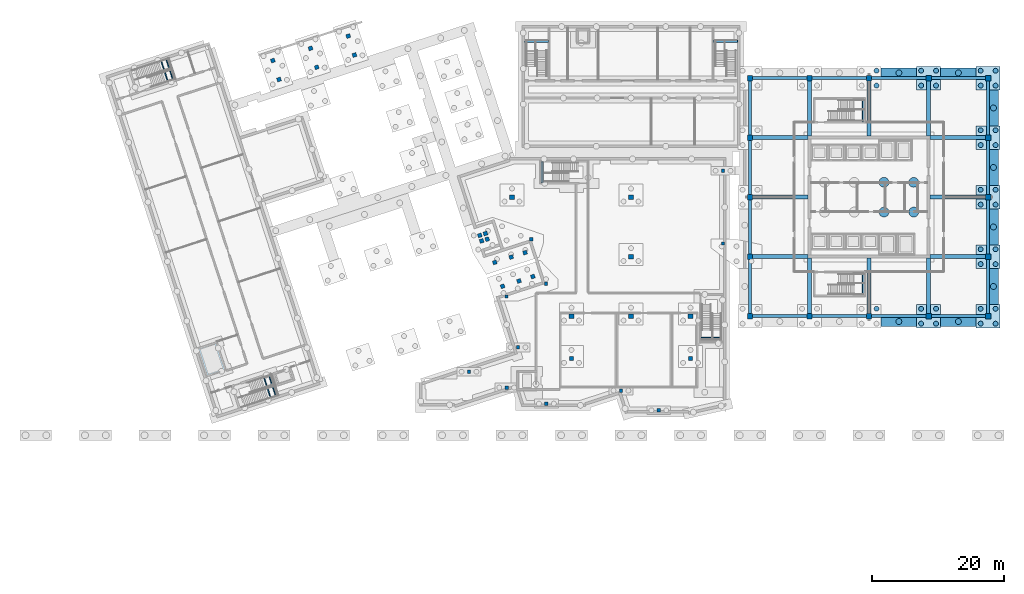
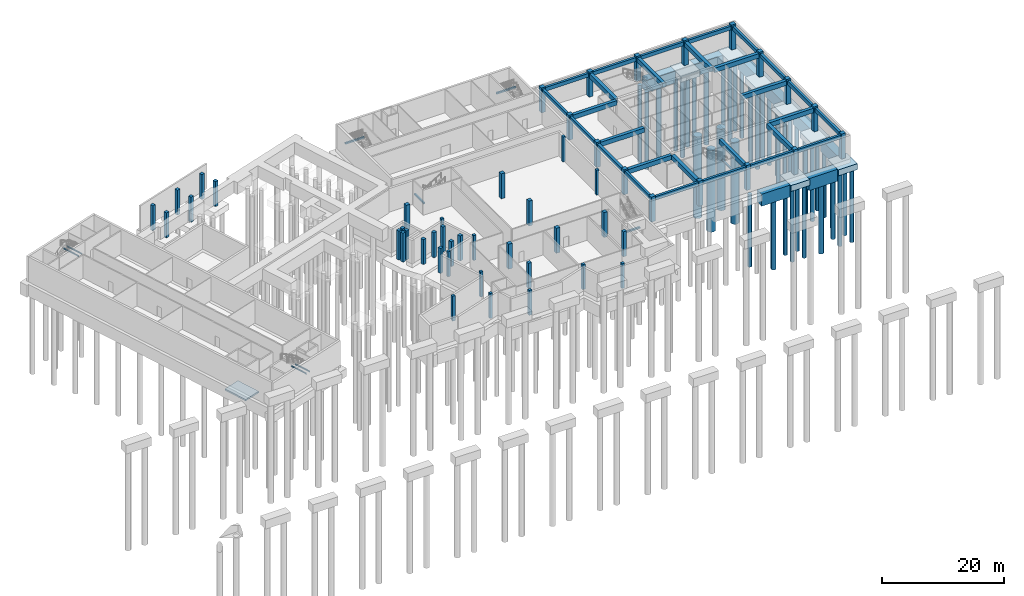
# One storey, part 5 of 17: 51 columns, 43 piles, 38 beams, 15 footings, 1 slab.
"""IFC4 building model written with IfcOpenShell, lengths in metres."""

from ifc_helpers import new_model, si_unit, direction, frame, origin, origin_2d, place, context, subcontext, project, spatial, polyline, rectangle, circle, i_section, outline, extrude, material, layer, layer_set, material_profile, profile_set, type_object, element, save


model = new_model("IFC4")

# Units and contexts
model_context = context("Model", 3, precision=1e-05, world=origin(), true_north=direction((0.0, 1.0)))
body_context = subcontext(model_context, "Body", "Model", "MODEL_VIEW")
ifc_project = project(units=[si_unit("LENGTHUNIT", "METRE"), si_unit("AREAUNIT", "SQUARE_METRE"), si_unit("VOLUMEUNIT", "CUBIC_METRE"), si_unit("PLANEANGLEUNIT", "RADIAN"), si_unit("MASSUNIT", "GRAM", prefix="KILO")], contexts=[model_context])

# Site, building, storey
site_placement = place(None, origin())
site = spatial("IfcSite", under=ifc_project, at=site_placement, CompositionType="ELEMENT")
building_placement = place(site_placement, origin())
building = spatial("IfcBuilding", under=site, at=building_placement, Name="Tuart Plaza Theatre", CompositionType="ELEMENT")
storey_placement = place(building_placement, frame((0.0, 0.0, -10.0)))
storey = spatial("IfcBuildingStorey", under=building, at=storey_placement, Name="B2", CompositionType="ELEMENT", Elevation=-10.0)

# Footings
ifc_material_1 = material(Name="Concrete N40 (40 MPa)", Category="concrete")
footing_type_1 = type_object("IfcFootingType", Name="CAP-1P-D900-5400X1520X2400", PredefinedType="PILE_CAP", material=ifc_material_1)
for number, where, z_axis, x_axis, name in (
    (1, (136.5, 55.199951171875, -3.199951171875), (0.0, 0.0, 1.0), (1.0, 0.0, 0.0), "D-CAP-122"),
    (2, (136.5, 92.800048828125, -3.199951171875), (0.0, 0.0, 1.0), (1.0, 0.0, 0.0), "D-CAP-123"),
    (3, (145.5, 55.199951171875, -3.199951171875), (0.0, 0.0, 1.0), (1.0, 0.0, 0.0), "D-CAP-124"),
    (4, (145.5, 92.800048828125, -3.199951171875), (0.0, 0.0, 1.0), (1.0, 0.0, 0.0), "D-CAP-125"),
    (5, (150.800048828125, 60.5, -3.199951171875), (0.0, 0.0, 1.0), (0.0, 1.0, 0.0), "D-CAP-126"),
    (6, (150.800048828125, 69.5, -3.199951171875), (0.0, 0.0, 1.0), (0.0, 1.0, 0.0), "D-CAP-127"),
    (7, (150.800048828125, 78.5, -3.199951171875), (0.0, 0.0, 1.0), (0.0, 1.0, 0.0), "D-CAP-128"),
    (8, (150.800048828125, 87.5, -3.199951171875), (0.0, 0.0, 1.0), (0.0, 1.0, 0.0), "D-CAP-129"),
):
    element("IfcFooting", number, at=place(storey_placement, frame(where, z_axis=z_axis, x_axis=x_axis)), inside=storey, type_object=footing_type_1, Name=name, PredefinedType="PILE_CAP", context=body_context, shape_type="SweptSolid", body=[
        extrude(rectangle(XDim=5.39990234375, YDim=1.52001953125, at=origin_2d()), origin(), (0.0, 0.0, 1.0), 2.39990234375),
    ])
ifc_material_2 = material(Name="Concrete N40 (40 MPa)", Category="concrete")
footing_type_2 = type_object("IfcFootingType", Name="CAP-4P-D750-3600X3600X1200", PredefinedType="PILE_CAP", material=ifc_material_2)
for number, where, z_axis, x_axis, name in (
    (9, (141.0, 56.0, -2.0), (0.0, 0.0, 1.0), (1.0, 0.0, 0.0), "D-CAP-083"),
    (10, (141.0, 92.0, -2.0), (0.0, 0.0, 1.0), (1.0, 0.0, 0.0), "D-CAP-084"),
    (11, (150.0, 56.0, -2.0), (0.0, 0.0, 1.0), (1.0, 0.0, 0.0), "D-CAP-087"),
    (12, (150.0, 65.0, -2.0), (0.0, 0.0, 1.0), (1.0, 0.0, 0.0), "D-CAP-088"),
    (13, (150.0, 74.0, -2.0), (0.0, 0.0, 1.0), (1.0, 0.0, 0.0), "D-CAP-089"),
    (14, (150.0, 83.0, -2.0), (0.0, 0.0, 1.0), (1.0, 0.0, 0.0), "D-CAP-090"),
    (15, (150.0, 92.0, -2.0), (0.0, 0.0, 1.0), (1.0, 0.0, 0.0), "D-CAP-091"),
):
    element("IfcFooting", number, at=place(storey_placement, frame(where, z_axis=z_axis, x_axis=x_axis)), inside=storey, type_object=footing_type_2, Name=name, PredefinedType="PILE_CAP", context=body_context, shape_type="SweptSolid", body=[
        extrude(rectangle(XDim=3.60009765625, YDim=3.60009765625, at=origin_2d()), origin(), (0.0, 0.0, 1.0), 1.199951171875),
    ])

# Piles
ifc_material_3 = material(Name="Concrete N40 (40 MPa)", Category="concrete")
ifc_material_profile_1 = material_profile(ifc_material_3, circle(Radius=0.75, at=origin_2d()), Name="PILE-BORED-D1500")
ifc_profile_set_1 = profile_set([ifc_material_profile_1], Name="Concrete N40 (40 MPa)")
pile_type_1 = type_object("IfcPileType", Name="PILE-BORED-D1500", PredefinedType="BORED", material=ifc_profile_set_1)
for number, where, z_axis, x_axis, name in (
    (16, (138.75, 71.75, -2.199951171875), (0.0, 0.0, -1.0), (1.0, 0.0, 0.0), "D-PIL-C-raft-01"),
    (17, (134.25, 71.75, -2.199951171875), (0.0, 0.0, -1.0), (1.0, 0.0, 0.0), "D-PIL-C-raft-02"),
    (18, (138.75, 76.25, -2.199951171875), (0.0, 0.0, -1.0), (1.0, 0.0, 0.0), "D-PIL-C-raft-05"),
    (19, (134.25, 76.25, -2.199951171875), (0.0, 0.0, -1.0), (1.0, 0.0, 0.0), "D-PIL-C-raft-06"),
):
    element("IfcPile", number, at=place(storey_placement, frame(where, z_axis=z_axis, x_axis=x_axis)), inside=storey, type_object=pile_type_1, Name=name, PredefinedType="BORED", context=body_context, shape_type="SweptSolid", body=[
        extrude(circle(Radius=0.75, at=origin_2d()), origin(), (0.0, 0.0, 1.0), 16.300048828125),
    ])
ifc_material_4 = material(Name="Concrete N40 (40 MPa)", Category="concrete")
ifc_material_profile_2 = material_profile(ifc_material_4, circle(Radius=0.375, at=origin_2d()), Name="PILE-BORED-D750")
ifc_profile_set_2 = profile_set([ifc_material_profile_2], Name="Concrete N40 (40 MPa)")
pile_type_2 = type_object("IfcPileType", Name="PILE-BORED-D750", PredefinedType="BORED", material=ifc_profile_set_2)
pile_1_placement = place(storey_placement, frame((133.125, 57.125, -2.0), z_axis=(0.0, 0.0, -1.0), x_axis=(1.0, 0.0, 0.0)))
element("IfcPile", 20, at=pile_1_placement, inside=storey, type_object=pile_type_2, Name="D-PIL-078-04", PredefinedType="BORED", context=body_context, shape_type="SweptSolid", body=[
    extrude(circle(Radius=0.375, at=origin_2d()), origin(), (0.0, 0.0, 1.0), 14.5),
])
for number, where, z_axis, x_axis, name in (
    (21, (133.125, 90.875, -2.0), (0.0, 0.0, -1.0), (1.0, 0.0, 0.0), "D-PIL-079-03"),
    (22, (133.125, 93.125, -2.0), (0.0, 0.0, -1.0), (1.0, 0.0, 0.0), "D-PIL-079-04"),
):
    element("IfcPile", number, at=place(storey_placement, frame(where, z_axis=z_axis, x_axis=x_axis)), inside=storey, type_object=pile_type_2, Name=name, PredefinedType="BORED", context=body_context, shape_type="SweptSolid", body=[
        extrude(circle(Radius=0.375, at=origin_2d()), origin(), (0.0, 0.0, 1.0), 15.5),
    ])
for number, where, z_axis, x_axis, name in (
    (23, (139.875, 54.875, -2.0), (0.0, 0.0, -1.0), (1.0, 0.0, 0.0), "D-PIL-083-01"),
    (24, (139.875, 57.125, -2.0), (0.0, 0.0, -1.0), (1.0, 0.0, 0.0), "D-PIL-083-02"),
    (25, (142.125, 54.875, -2.0), (0.0, 0.0, -1.0), (1.0, 0.0, 0.0), "D-PIL-083-03"),
    (26, (142.125, 57.125, -2.0), (0.0, 0.0, -1.0), (1.0, 0.0, 0.0), "D-PIL-083-04"),
):
    element("IfcPile", number, at=place(storey_placement, frame(where, z_axis=z_axis, x_axis=x_axis)), inside=storey, type_object=pile_type_2, Name=name, PredefinedType="BORED", context=body_context, shape_type="SweptSolid", body=[
        extrude(circle(Radius=0.375, at=origin_2d()), origin(), (0.0, 0.0, 1.0), 14.5),
    ])
for number, where, z_axis, x_axis, name in (
    (27, (139.875, 90.875, -2.0), (0.0, 0.0, -1.0), (1.0, 0.0, 0.0), "D-PIL-084-01"),
    (28, (139.875, 93.125, -2.0), (0.0, 0.0, -1.0), (1.0, 0.0, 0.0), "D-PIL-084-02"),
    (29, (142.125, 90.875, -2.0), (0.0, 0.0, -1.0), (1.0, 0.0, 0.0), "D-PIL-084-03"),
    (30, (142.125, 93.125, -2.0), (0.0, 0.0, -1.0), (1.0, 0.0, 0.0), "D-PIL-084-04"),
):
    element("IfcPile", number, at=place(storey_placement, frame(where, z_axis=z_axis, x_axis=x_axis)), inside=storey, type_object=pile_type_2, Name=name, PredefinedType="BORED", context=body_context, shape_type="SweptSolid", body=[
        extrude(circle(Radius=0.375, at=origin_2d()), origin(), (0.0, 0.0, 1.0), 15.5),
    ])
for number, where, z_axis, x_axis, name in (
    (31, (148.875, 54.875, -2.0), (0.0, 0.0, -1.0), (1.0, 0.0, 0.0), "D-PIL-087-01"),
    (32, (148.875, 57.125, -2.0), (0.0, 0.0, -1.0), (1.0, 0.0, 0.0), "D-PIL-087-02"),
    (33, (151.125, 54.875, -2.0), (0.0, 0.0, -1.0), (1.0, 0.0, 0.0), "D-PIL-087-03"),
    (34, (151.125, 57.125, -2.0), (0.0, 0.0, -1.0), (1.0, 0.0, 0.0), "D-PIL-087-04"),
):
    element("IfcPile", number, at=place(storey_placement, frame(where, z_axis=z_axis, x_axis=x_axis)), inside=storey, type_object=pile_type_2, Name=name, PredefinedType="BORED", context=body_context, shape_type="SweptSolid", body=[
        extrude(circle(Radius=0.375, at=origin_2d()), origin(), (0.0, 0.0, 1.0), 14.5),
    ])
for number, where, z_axis, x_axis, name in (
    (35, (148.875, 63.875, -2.0), (0.0, 0.0, -1.0), (1.0, 0.0, 0.0), "D-PIL-088-01"),
    (36, (148.875, 66.125, -2.0), (0.0, 0.0, -1.0), (1.0, 0.0, 0.0), "D-PIL-088-02"),
    (37, (151.125, 63.875, -2.0), (0.0, 0.0, -1.0), (1.0, 0.0, 0.0), "D-PIL-088-03"),
    (38, (151.125, 66.125, -2.0), (0.0, 0.0, -1.0), (1.0, 0.0, 0.0), "D-PIL-088-04"),
    (39, (148.875, 72.875, -2.0), (0.0, 0.0, -1.0), (1.0, 0.0, 0.0), "D-PIL-089-01"),
    (40, (148.875, 75.125, -2.0), (0.0, 0.0, -1.0), (1.0, 0.0, 0.0), "D-PIL-089-02"),
    (41, (151.125, 72.875, -2.0), (0.0, 0.0, -1.0), (1.0, 0.0, 0.0), "D-PIL-089-03"),
    (42, (151.125, 75.125, -2.0), (0.0, 0.0, -1.0), (1.0, 0.0, 0.0), "D-PIL-089-04"),
):
    element("IfcPile", number, at=place(storey_placement, frame(where, z_axis=z_axis, x_axis=x_axis)), inside=storey, type_object=pile_type_2, Name=name, PredefinedType="BORED", context=body_context, shape_type="SweptSolid", body=[
        extrude(circle(Radius=0.375, at=origin_2d()), origin(), (0.0, 0.0, 1.0), 15.0),
    ])
for number, where, z_axis, x_axis, name in (
    (43, (148.875, 81.875, -2.0), (0.0, 0.0, -1.0), (1.0, 0.0, 0.0), "D-PIL-090-01"),
    (44, (148.875, 84.125, -2.0), (0.0, 0.0, -1.0), (1.0, 0.0, 0.0), "D-PIL-090-02"),
    (45, (151.125, 81.875, -2.0), (0.0, 0.0, -1.0), (1.0, 0.0, 0.0), "D-PIL-090-03"),
    (46, (151.125, 84.125, -2.0), (0.0, 0.0, -1.0), (1.0, 0.0, 0.0), "D-PIL-090-04"),
    (47, (148.875, 90.875, -2.0), (0.0, 0.0, -1.0), (1.0, 0.0, 0.0), "D-PIL-091-01"),
    (48, (148.875, 93.125, -2.0), (0.0, 0.0, -1.0), (1.0, 0.0, 0.0), "D-PIL-091-02"),
    (49, (151.125, 90.875, -2.0), (0.0, 0.0, -1.0), (1.0, 0.0, 0.0), "D-PIL-091-03"),
    (50, (151.125, 93.125, -2.0), (0.0, 0.0, -1.0), (1.0, 0.0, 0.0), "D-PIL-091-04"),
):
    element("IfcPile", number, at=place(storey_placement, frame(where, z_axis=z_axis, x_axis=x_axis)), inside=storey, type_object=pile_type_2, Name=name, PredefinedType="BORED", context=body_context, shape_type="SweptSolid", body=[
        extrude(circle(Radius=0.375, at=origin_2d()), origin(), (0.0, 0.0, 1.0), 15.5),
    ])
ifc_material_5 = material(Name="Concrete N40 (40 MPa)", Category="concrete")
ifc_material_profile_3 = material_profile(ifc_material_5, circle(Radius=0.449951171875, at=origin_2d()), Name="PILE-BORED-D900")
ifc_profile_set_3 = profile_set([ifc_material_profile_3], Name="Concrete N40 (40 MPa)")
pile_type_3 = type_object("IfcPileType", Name="PILE-BORED-D900", PredefinedType="BORED", material=ifc_profile_set_3)
pile_2_placement = place(storey_placement, frame((136.5, 55.199951171875, -3.199951171875), z_axis=(0.0, 0.0, -1.0), x_axis=(1.0, 0.0, 0.0)))
element("IfcPile", 51, at=pile_2_placement, inside=storey, type_object=pile_type_3, Name="D-PIL-122-01", PredefinedType="BORED", context=body_context, shape_type="SweptSolid", body=[
    extrude(circle(Radius=0.449951171875, at=origin_2d()), origin(), (0.0, 0.0, 1.0), 13.800048828125),
])
pile_3_placement = place(storey_placement, frame((136.5, 92.800048828125, -3.199951171875), z_axis=(0.0, 0.0, -1.0), x_axis=(1.0, 0.0, 0.0)))
element("IfcPile", 52, at=pile_3_placement, inside=storey, type_object=pile_type_3, Name="D-PIL-123-01", PredefinedType="BORED", context=body_context, shape_type="SweptSolid", body=[
    extrude(circle(Radius=0.449951171875, at=origin_2d()), origin(), (0.0, 0.0, 1.0), 14.800048828125),
])
pile_4_placement = place(storey_placement, frame((145.5, 55.199951171875, -3.199951171875), z_axis=(0.0, 0.0, -1.0), x_axis=(1.0, 0.0, 0.0)))
element("IfcPile", 53, at=pile_4_placement, inside=storey, type_object=pile_type_3, Name="D-PIL-124-01", PredefinedType="BORED", context=body_context, shape_type="SweptSolid", body=[
    extrude(circle(Radius=0.449951171875, at=origin_2d()), origin(), (0.0, 0.0, 1.0), 13.800048828125),
])
pile_5_placement = place(storey_placement, frame((145.5, 92.800048828125, -3.199951171875), z_axis=(0.0, 0.0, -1.0), x_axis=(1.0, 0.0, 0.0)))
element("IfcPile", 54, at=pile_5_placement, inside=storey, type_object=pile_type_3, Name="D-PIL-125-01", PredefinedType="BORED", context=body_context, shape_type="SweptSolid", body=[
    extrude(circle(Radius=0.449951171875, at=origin_2d()), origin(), (0.0, 0.0, 1.0), 14.800048828125),
])
pile_6_placement = place(storey_placement, frame((150.800048828125, 60.5, -3.199951171875), z_axis=(0.0, 0.0, -1.0), x_axis=(1.0, 0.0, 0.0)))
element("IfcPile", 55, at=pile_6_placement, inside=storey, type_object=pile_type_3, Name="D-PIL-126-01", PredefinedType="BORED", context=body_context, shape_type="SweptSolid", body=[
    extrude(circle(Radius=0.449951171875, at=origin_2d()), origin(), (0.0, 0.0, 1.0), 13.800048828125),
])
for number, where, z_axis, x_axis, name in (
    (56, (150.800048828125, 69.5, -3.199951171875), (0.0, 0.0, -1.0), (1.0, 0.0, 0.0), "D-PIL-127-01"),
    (57, (150.800048828125, 78.5, -3.199951171875), (0.0, 0.0, -1.0), (1.0, 0.0, 0.0), "D-PIL-128-01"),
):
    element("IfcPile", number, at=place(storey_placement, frame(where, z_axis=z_axis, x_axis=x_axis)), inside=storey, type_object=pile_type_3, Name=name, PredefinedType="BORED", context=body_context, shape_type="SweptSolid", body=[
        extrude(circle(Radius=0.449951171875, at=origin_2d()), origin(), (0.0, 0.0, 1.0), 14.300048828125),
    ])
pile_7_placement = place(storey_placement, frame((150.800048828125, 87.5, -3.199951171875), z_axis=(0.0, 0.0, -1.0), x_axis=(1.0, 0.0, 0.0)))
element("IfcPile", 58, at=pile_7_placement, inside=storey, type_object=pile_type_3, Name="D-PIL-129-01", PredefinedType="BORED", context=body_context, shape_type="SweptSolid", body=[
    extrude(circle(Radius=0.449951171875, at=origin_2d()), origin(), (0.0, 0.0, 1.0), 14.800048828125),
])

# Columns
ifc_material_6 = material(Name="Concrete N50 (50 MPa)", Category="concrete")
ifc_material_profile_4 = material_profile(ifc_material_6, rectangle(XDim=0.5, YDim=0.5, at=origin_2d()), Name="COLUMN 500x500 Concrete N50 (50 MPa)")
ifc_profile_set_4 = profile_set([ifc_material_profile_4], Name="Concrete N50 (50 MPa)")
column_type_1 = type_object("IfcColumnType", Name="COLUMN 500x500 Concrete N50 (50 MPa)", PredefinedType="COLUMN", material=ifc_profile_set_4)
for number, where, z_axis, x_axis, name in (
    (59, (109.909912109375, 78.0, 0.0), (0.0, 0.0, 1.0), (1.0, 0.0, 0.0), "C37"),
    (60, (109.909912109375, 67.0, 0.0), (0.0, 0.0, 1.0), (1.0, 0.0, 0.0), "C38"),
    (61, (100.199951171875, 41.780029296875, 0.0), (0.0, 0.0, 1.0), (1.0, 0.0, 0.0), "C39"),
    (62, (94.47998046875, 44.75, 0.0), (0.0, 0.0, 1.0), (1.0, 0.0, 0.0), "C40"),
    (63, (83.199951171875, 42.780029296875, 0.0), (0.0, 0.0, 1.0), (1.0, 0.0, 0.0), "C41"),
    (64, (77.199951171875, 45.199951171875, 0.0), (0.0, 0.0, 1.0), (1.0, 0.0, 0.0), "C42"),
    (65, (71.5, 47.60009765625, 0.0), (0.0, 0.0, 1.0), (1.0, 0.0, 0.0), "C43"),
    (66, (78.89990234375, 51.300048828125, 0.0), (0.0, 0.0, 1.0), (1.0, 0.0, 0.0), "C44"),
    (67, (77.181640625, 58.9853515625, 0.0), (0.0, 0.0, 1.0), (1.0, 0.0, 0.0), "C45"),
    (68, (83.1298828125, 60.909912109375, 0.0), (0.0, 0.0, 1.0), (1.0, 0.0, 0.0), "C46"),
    (69, (80.929931640625, 67.659912109375, 0.0), (0.0, 0.0, 1.0), (1.0, 0.0, 0.0), "C47"),
):
    element("IfcColumn", number, at=place(storey_placement, frame(where, z_axis=z_axis, x_axis=x_axis)), inside=storey, type_object=column_type_1, Name=name, PredefinedType="COLUMN", context=body_context, shape_type="SweptSolid", body=[
        extrude(rectangle(XDim=0.5, YDim=0.5, at=origin_2d()), origin(), (0.0, 0.0, 1.0), 5.0),
    ])
ifc_material_7 = material(Name="Concrete N50 (50 MPa)", Category="concrete")
ifc_material_profile_5 = material_profile(ifc_material_7, rectangle(XDim=0.60009765625, YDim=0.60009765625, at=origin_2d()), Name="COLUMN 600x600 Concrete N50 (50 MPa)")
ifc_profile_set_5 = profile_set([ifc_material_profile_5], Name="Concrete N50 (50 MPa)")
column_type_2 = type_object("IfcColumnType", Name="COLUMN 600x600 Concrete N50 (50 MPa)", PredefinedType="COLUMN", material=ifc_profile_set_5)
for number, where, z_axis, x_axis, name in (
    (70, (42.7568359375, 91.799072265625, 0.0), (0.0, 0.0, 1.0), (0.951056516295, 0.309016994375, 0.0), "C9"),
    (71, (48.463134765625, 93.653076171875, 0.0), (0.0, 0.0, 1.0), (0.951056516295, 0.309016994375, 0.0), "C10"),
    (72, (54.16943359375, 95.50732421875, 0.0), (0.0, 0.0, 1.0), (0.951056516295, 0.309016994375, 0.0), "C11"),
    (73, (41.82958984375, 94.652099609375, 0.0), (0.0, 0.0, 1.0), (0.951056516295, 0.309016994375, 0.0), "C12"),
    (74, (47.5361328125, 96.50634765625, 0.0), (0.0, 0.0, 1.0), (0.951056516295, 0.309016994375, 0.0), "C13"),
    (75, (53.242431640625, 98.3603515625, 0.0), (0.0, 0.0, 1.0), (0.951056516295, 0.309016994375, 0.0), "C14"),
    (76, (76.577880859375, 60.51953125, 0.0), (0.0, 0.0, 1.0), (0.951056516295, 0.309016994375, 0.0), "C15"),
    (77, (79.05078125, 61.322998046875, 0.0), (0.0, 0.0, 1.0), (0.951056516295, 0.309016994375, 0.0), "C16"),
    (78, (81.14306640625, 62.002685546875, 0.0), (0.0, 0.0, 1.0), (0.951056516295, 0.309016994375, 0.0), "C17"),
    (79, (75.40380859375, 64.133544921875, 0.0), (0.0, 0.0, 1.0), (0.951056516295, 0.309016994375, 0.0), "C18"),
    (80, (77.87646484375, 64.93701171875, 0.0), (0.0, 0.0, 1.0), (0.951056516295, 0.309016994375, 0.0), "C19"),
    (81, (79.96875, 65.61669921875, 0.0), (0.0, 0.0, 1.0), (0.951056516295, 0.309016994375, 0.0), "C20"),
):
    element("IfcColumn", number, at=place(storey_placement, frame(where, z_axis=z_axis, x_axis=x_axis)), inside=storey, type_object=column_type_2, Name=name, PredefinedType="COLUMN", context=body_context, shape_type="SweptSolid", body=[
        extrude(rectangle(XDim=0.60009765625, YDim=0.60009765625, at=origin_2d()), origin(), (0.0, 0.0, 1.0), 5.0),
    ])
for number, where, z_axis, x_axis, name in (
    (82, (73.404296875, 67.374267578125, -0.800048828125), (0.0, 0.0, 1.0), (0.951056516295, 0.309016994375, 0.0), "C21"),
    (83, (74.26025390625, 67.65234375, -0.800048828125), (0.0, 0.0, 1.0), (0.951056516295, 0.309016994375, 0.0), "C22"),
    (84, (73.126220703125, 68.230224609375, -0.800048828125), (0.0, 0.0, 1.0), (0.951056516295, 0.309016994375, 0.0), "C23"),
    (85, (73.982177734375, 68.50830078125, -0.800048828125), (0.0, 0.0, 1.0), (0.951056516295, 0.309016994375, 0.0), "C24"),
):
    element("IfcColumn", number, at=place(storey_placement, frame(where, z_axis=z_axis, x_axis=x_axis)), inside=storey, type_object=column_type_2, Name=name, PredefinedType="COLUMN", context=body_context, shape_type="SweptSolid", body=[
        extrude(rectangle(XDim=0.60009765625, YDim=0.60009765625, at=origin_2d()), origin(), (0.0, 0.0, 1.0), 5.800048828125),
    ])
for number, where, z_axis, x_axis, name in (
    (86, (87.0, 49.60009765625, 0.0), (0.0, 0.0, 1.0), (1.0, 0.0, 0.0), "C48"),
    (87, (105.0, 49.60009765625, 0.0), (0.0, 0.0, 1.0), (1.0, 0.0, 0.0), "C49"),
):
    element("IfcColumn", number, at=place(storey_placement, frame(where, z_axis=z_axis, x_axis=x_axis)), inside=storey, type_object=column_type_2, Name=name, PredefinedType="COLUMN", context=body_context, shape_type="SweptSolid", body=[
        extrude(rectangle(XDim=0.60009765625, YDim=0.60009765625, at=origin_2d()), origin(), (0.0, 0.0, 1.0), 5.0),
    ])
ifc_material_8 = material(Name="Concrete N50 (50 MPa)", Category="concrete")
ifc_material_profile_6 = material_profile(ifc_material_8, rectangle(XDim=0.699951171875, YDim=0.699951171875, at=origin_2d()), Name="COLUMN 700x700 Concrete N50 (50 MPa)")
ifc_profile_set_6 = profile_set([ifc_material_profile_6], Name="Concrete N50 (50 MPa)")
column_type_3 = type_object("IfcColumnType", Name="COLUMN 700x700 Concrete N50 (50 MPa)", PredefinedType="COLUMN", material=ifc_profile_set_6)
for number, where, z_axis, x_axis, name in (
    (88, (78.0, 74.0, 0.0), (0.0, 0.0, 1.0), (1.0, 0.0, 0.0), "C31"),
    (89, (87.0, 56.0, 0.0), (0.0, 0.0, 1.0), (1.0, 0.0, 0.0), "C32"),
    (90, (96.0, 56.0, 0.0), (0.0, 0.0, 1.0), (1.0, 0.0, 0.0), "C33"),
    (91, (96.0, 65.0, 0.0), (0.0, 0.0, 1.0), (1.0, 0.0, 0.0), "C34"),
    (92, (96.0, 74.0, 0.0), (0.0, 0.0, 1.0), (1.0, 0.0, 0.0), "C35"),
    (93, (105.0, 56.0, 0.0), (0.0, 0.0, 1.0), (1.0, 0.0, 0.0), "C36"),
):
    element("IfcColumn", number, at=place(storey_placement, frame(where, z_axis=z_axis, x_axis=x_axis)), inside=storey, type_object=column_type_3, Name=name, PredefinedType="COLUMN", context=body_context, shape_type="SweptSolid", body=[
        extrude(rectangle(XDim=0.699951171875, YDim=0.699951171875, at=origin_2d()), origin(), (0.0, 0.0, 1.0), 5.0),
    ])
ifc_material_9 = material(Name="Concrete N50 (50 MPa)", Category="concrete")
ifc_material_profile_7 = material_profile(ifc_material_9, rectangle(XDim=0.800048828125, YDim=0.800048828125, at=origin_2d()), Name="COLUMN 800x800 Concrete N50 (50 MPa)")
ifc_profile_set_7 = profile_set([ifc_material_profile_7], Name="Concrete N50 (50 MPa)")
column_type_4 = type_object("IfcColumnType", Name="COLUMN 800x800 Concrete N50 (50 MPa)", PredefinedType="COLUMN", material=ifc_profile_set_7)
for number, where, z_axis, x_axis, name in (
    (94, (114.0, 56.0, 0.0), (0.0, 0.0, 1.0), (1.0, 0.0, 0.0), "C50"),
    (95, (114.0, 65.0, 0.0), (0.0, 0.0, 1.0), (1.0, 0.0, 0.0), "C51"),
    (96, (114.0, 74.0, 0.0), (0.0, 0.0, 1.0), (1.0, 0.0, 0.0), "C52"),
    (97, (114.0, 83.0, 0.0), (0.0, 0.0, 1.0), (1.0, 0.0, 0.0), "C53"),
    (98, (114.0, 92.0, 0.0), (0.0, 0.0, 1.0), (1.0, 0.0, 0.0), "C54"),
    (99, (123.0, 56.0, 0.0), (0.0, 0.0, 1.0), (1.0, 0.0, 0.0), "C55"),
    (100, (123.0, 92.0, 0.0), (0.0, 0.0, 1.0), (1.0, 0.0, 0.0), "C56"),
    (101, (132.0, 56.0, 0.0), (0.0, 0.0, 1.0), (1.0, 0.0, 0.0), "C57"),
    (102, (132.0, 92.0, 0.0), (0.0, 0.0, 1.0), (1.0, 0.0, 0.0), "C58"),
    (103, (141.0, 56.0, 0.0), (0.0, 0.0, 1.0), (1.0, 0.0, 0.0), "C59"),
    (104, (141.0, 92.0, 0.0), (0.0, 0.0, 1.0), (1.0, 0.0, 0.0), "C60"),
    (105, (150.0, 56.0, 0.0), (0.0, 0.0, 1.0), (1.0, 0.0, 0.0), "C61"),
    (106, (150.0, 65.0, 0.0), (0.0, 0.0, 1.0), (1.0, 0.0, 0.0), "C62"),
    (107, (150.0, 74.0, 0.0), (0.0, 0.0, 1.0), (1.0, 0.0, 0.0), "C63"),
    (108, (150.0, 83.0, 0.0), (0.0, 0.0, 1.0), (1.0, 0.0, 0.0), "C64"),
    (109, (150.0, 92.0, 0.0), (0.0, 0.0, 1.0), (1.0, 0.0, 0.0), "C65"),
):
    element("IfcColumn", number, at=place(storey_placement, frame(where, z_axis=z_axis, x_axis=x_axis)), inside=storey, type_object=column_type_4, Name=name, PredefinedType="COLUMN", context=body_context, shape_type="SweptSolid", body=[
        extrude(rectangle(XDim=0.800048828125, YDim=0.800048828125, at=origin_2d()), origin(), (0.0, 0.0, 1.0), 5.0),
    ])

# Beams
ifc_material_10 = material(Name="Steel Grade 300", Category="steel")
ifc_material_profile_8 = material_profile(ifc_material_10, i_section(OverallWidth=0.14599609375, OverallDepth=0.256103515625, WebThickness=0.00634765625, FlangeThickness=0.010986328125, FilletRadius=0.0087890625, at=origin_2d()), Name="250UB37.3")
ifc_profile_set_8 = profile_set([ifc_material_profile_8], Name="Steel Grade 300")
beam_type_1 = type_object("IfcBeamType", Name="BEAM 250UB37.3", PredefinedType="BEAM", material=ifc_profile_set_8)
for number, where, z_axis, x_axis, name in (
    (110, (41.240234375, 47.09228515625, 2.172119140625), (0.309003676349, -0.951060843481, 0.0), (0.951060843481, 0.309003676349, 0.0), "SB1"),
    (111, (40.465087890625, 46.84033203125, 2.172119140625), (0.309003676349, -0.951060843481, 0.0), (0.951060843481, 0.309003676349, 0.0), "SB2"),
    (112, (25.712158203125, 94.8828125, 2.172119140625), (0.309003676349, -0.951060843481, 0.0), (0.951060843481, 0.309003676349, 0.0), "SB13"),
    (113, (24.93701171875, 94.631103515625, 2.172119140625), (0.309003676349, -0.951060843481, 0.0), (0.951060843481, 0.309003676349, 0.0), "SB14"),
):
    element("IfcBeam", number, at=place(storey_placement, frame(where, z_axis=z_axis, x_axis=x_axis)), inside=storey, type_object=beam_type_1, Name=name, PredefinedType="BEAM", context=body_context, shape_type="SweptSolid", body=[
        extrude(i_section(OverallWidth=0.14599609375, OverallDepth=0.256103515625, WebThickness=0.00634765625, FlangeThickness=0.010986328125, FilletRadius=0.0087890625, at=origin_2d()), origin(), (0.0, 0.0, 1.0), 3.35009765625),
    ])
ifc_material_11 = material(Name="Concrete N40 (40 MPa)", Category="concrete")
ifc_material_profile_9 = material_profile(ifc_material_11, rectangle(XDim=0.300048828125, YDim=0.300048828125, at=origin_2d()), Name="BEAM 300x300 Concrete N40 (40 MPa)")
ifc_profile_set_9 = profile_set([ifc_material_profile_9], Name="Concrete N40 (40 MPa)")
beam_type_2 = type_object("IfcBeamType", Name="BEAM 300x300 Concrete N40 (40 MPa)", PredefinedType="BEAM", material=ifc_profile_set_9)
beam_1_placement = place(storey_placement, frame((106.60009765625, 52.652099609375, 2.14990234375), z_axis=(1.0, 0.0, 0.0), x_axis=(0.0, 1.0, 0.0)))
element("IfcBeam", 114, at=beam_1_placement, inside=storey, type_object=beam_type_2, Name="RB62", PredefinedType="BEAM", context=body_context, shape_type="SweptSolid", body=[
    extrude(rectangle(XDim=0.300048828125, YDim=0.300048828125, at=origin_2d()), origin(), (0.0, 0.0, 1.0), 3.14990234375),
])
beam_2_placement = place(storey_placement, frame((82.552001953125, 79.35009765625, 2.14990234375), z_axis=(0.0, -1.0, 0.0), x_axis=(1.0, 0.0, 0.0)))
element("IfcBeam", 115, at=beam_2_placement, inside=storey, type_object=beam_type_2, Name="RB64", PredefinedType="BEAM", context=body_context, shape_type="SweptSolid", body=[
    extrude(rectangle(XDim=0.300048828125, YDim=0.300048828125, at=origin_2d()), origin(), (0.0, 0.0, 1.0), 3.150146484375),
])
for number, where, z_axis, x_axis, name in (
    (116, (131.080078125, 59.175048828125, 2.14990234375), (0.0, 1.0, 0.0), (-1.0, 0.0, 0.0), "RB544"),
    (117, (131.080078125, 85.425048828125, 2.14990234375), (0.0, 1.0, 0.0), (-1.0, 0.0, 0.0), "RB546"),
):
    element("IfcBeam", number, at=place(storey_placement, frame(where, z_axis=z_axis, x_axis=x_axis)), inside=storey, type_object=beam_type_2, Name=name, PredefinedType="BEAM", context=body_context, shape_type="SweptSolid", body=[
        extrude(rectangle(XDim=0.300048828125, YDim=0.300048828125, at=origin_2d()), origin(), (0.0, 0.0, 1.0), 3.39990234375),
    ])
for number, where, z_axis, x_axis, name in (
    (118, (79.89990234375, 97.570068359375, 2.14990234375), (1.0, 0.0, 0.0), (0.0, 1.0, 0.0), "RB550"),
    (119, (108.5, 97.570068359375, 2.14990234375), (1.0, 0.0, 0.0), (0.0, 1.0, 0.0), "RB552"),
):
    element("IfcBeam", number, at=place(storey_placement, frame(where, z_axis=z_axis, x_axis=x_axis)), inside=storey, type_object=beam_type_2, Name=name, PredefinedType="BEAM", context=body_context, shape_type="SweptSolid", body=[
        extrude(rectangle(XDim=0.300048828125, YDim=0.300048828125, at=origin_2d()), origin(), (0.0, 0.0, 1.0), 3.60009765625),
    ])
ifc_material_12 = material(Name="Concrete N40 (40 MPa)", Category="concrete")
ifc_material_profile_10 = material_profile(ifc_material_12, rectangle(XDim=0.449951171875, YDim=0.75, at=origin_2d()), Name="BEAM 450x750 Concrete N40 (40 MPa)")
ifc_profile_set_10 = profile_set([ifc_material_profile_10], Name="Concrete N40 (40 MPa)")
beam_type_3 = type_object("IfcBeamType", Name="BEAM 450x750 Concrete N40 (40 MPa)", PredefinedType="BEAM", material=ifc_profile_set_10)
for number, where, z_axis, x_axis, name in (
    (120, (114.0, 56.39990234375, 4.324951171875), (0.0, 1.0, 0.0), (-1.0, 0.0, 0.0), "RB66"),
    (121, (114.39990234375, 56.0, 4.324951171875), (1.0, 0.0, 0.0), (0.0, 1.0, 0.0), "RB67"),
    (122, (114.0, 65.39990234375, 4.324951171875), (0.0, 1.0, 0.0), (-1.0, 0.0, 0.0), "RB68"),
    (123, (114.0, 74.39990234375, 4.324951171875), (0.0, 1.0, 0.0), (-1.0, 0.0, 0.0), "RB70"),
    (124, (114.0, 83.39990234375, 4.324951171875), (0.0, 1.0, 0.0), (-1.0, 0.0, 0.0), "RB72"),
    (125, (114.39990234375, 92.0, 4.324951171875), (1.0, 0.0, 0.0), (0.0, 1.0, 0.0), "RB74"),
    (126, (123.39990234375, 56.0, 4.324951171875), (1.0, 0.0, 0.0), (0.0, 1.0, 0.0), "RB76"),
    (127, (123.39990234375, 92.0, 4.324951171875), (1.0, 0.0, 0.0), (0.0, 1.0, 0.0), "RB78"),
    (128, (132.39990234375, 56.0, 4.324951171875), (1.0, 0.0, 0.0), (0.0, 1.0, 0.0), "RB80"),
    (129, (132.39990234375, 92.0, 4.324951171875), (1.0, 0.0, 0.0), (0.0, 1.0, 0.0), "RB82"),
    (130, (141.39990234375, 56.0, 4.324951171875), (1.0, 0.0, 0.0), (0.0, 1.0, 0.0), "RB84"),
    (131, (141.39990234375, 92.0, 4.324951171875), (1.0, 0.0, 0.0), (0.0, 1.0, 0.0), "RB86"),
    (132, (150.0, 56.39990234375, 4.324951171875), (0.0, 1.0, 0.0), (-1.0, 0.0, 0.0), "RB90"),
    (133, (150.0, 65.39990234375, 4.324951171875), (0.0, 1.0, 0.0), (-1.0, 0.0, 0.0), "RB91"),
    (134, (150.0, 74.39990234375, 4.324951171875), (0.0, 1.0, 0.0), (-1.0, 0.0, 0.0), "RB92"),
    (135, (150.0, 83.39990234375, 4.324951171875), (0.0, 1.0, 0.0), (-1.0, 0.0, 0.0), "RB93"),
):
    element("IfcBeam", number, at=place(storey_placement, frame(where, z_axis=z_axis, x_axis=x_axis)), inside=storey, type_object=beam_type_3, Name=name, PredefinedType="BEAM", context=body_context, shape_type="SweptSolid", body=[
        extrude(rectangle(XDim=0.449951171875, YDim=0.75, at=origin_2d()), origin(), (0.0, 0.0, 1.0), 8.2001953125),
    ])
ifc_material_13 = material(Name="Concrete N40 (40 MPa)", Category="concrete")
ifc_material_profile_11 = material_profile(ifc_material_13, rectangle(XDim=0.60009765625, YDim=0.89990234375, at=origin_2d()), Name="BEAM 600x900 Concrete N40 (40 MPa)")
ifc_profile_set_11 = profile_set([ifc_material_profile_11], Name="Concrete N40 (40 MPa)")
beam_type_4 = type_object("IfcBeamType", Name="BEAM 600x900 Concrete N40 (40 MPa)", PredefinedType="BEAM", material=ifc_profile_set_11)
for number, where, z_axis, x_axis, name in (
    (136, (114.39990234375, 65.0, 4.25), (1.0, 0.0, 0.0), (0.0, 1.0, 0.0), "RB69"),
    (137, (114.39990234375, 74.0, 4.25), (1.0, 0.0, 0.0), (0.0, 1.0, 0.0), "RB71"),
    (138, (114.39990234375, 83.0, 4.25), (1.0, 0.0, 0.0), (0.0, 1.0, 0.0), "RB73"),
    (139, (123.0, 56.39990234375, 4.25), (0.0, 1.0, 0.0), (-1.0, 0.0, 0.0), "RB75"),
    (140, (123.0, 83.22509765625, 4.25), (0.0, 1.0, 0.0), (-1.0, 0.0, 0.0), "RB77"),
    (141, (132.0, 56.39990234375, 4.25), (0.0, 1.0, 0.0), (-1.0, 0.0, 0.0), "RB79"),
    (142, (132.0, 83.22509765625, 4.25), (0.0, 1.0, 0.0), (-1.0, 0.0, 0.0), "RB81"),
    (143, (141.0, 56.39990234375, 4.25), (0.0, 1.0, 0.0), (-1.0, 0.0, 0.0), "RB83"),
    (144, (141.0, 83.22509765625, 4.25), (0.0, 1.0, 0.0), (-1.0, 0.0, 0.0), "RB85"),
    (145, (141.22509765625, 65.0, 4.25), (1.0, 0.0, 0.0), (0.0, 1.0, 0.0), "RB87"),
    (146, (141.22509765625, 74.0, 4.25), (1.0, 0.0, 0.0), (0.0, 1.0, 0.0), "RB88"),
    (147, (141.22509765625, 83.0, 4.25), (1.0, 0.0, 0.0), (0.0, 1.0, 0.0), "RB89"),
):
    element("IfcBeam", number, at=place(storey_placement, frame(where, z_axis=z_axis, x_axis=x_axis)), inside=storey, type_object=beam_type_4, Name=name, PredefinedType="BEAM", context=body_context, shape_type="SweptSolid", body=[
        extrude(rectangle(XDim=0.60009765625, YDim=0.89990234375, at=origin_2d()), origin(), (0.0, 0.0, 1.0), 8.375),
    ])

# Slab
ifc_material_14 = material(Name="Concrete N40 (40 MPa)", Category="concrete")
ifc_layer = layer(ifc_material_14, 0.300048828125)
ifc_layer_set = layer_set([ifc_layer], Name="SLAB Base 300 Concrete N40 (40 MPa)")
slab_type = type_object("IfcSlabType", Name="SLAB Base 300 Concrete N40 (40 MPa)", PredefinedType="BASESLAB", material=ifc_layer_set)
slab_placement = place(storey_placement, frame((0.0, 0.0, -1.800048828125)))
element("IfcSlab", 148, at=slab_placement, inside=storey, type_object=slab_type, Name="S15", PredefinedType="BASESLAB", context=body_context, shape_type="SweptSolid", body=[
    extrude(outline(polyline([(34.817138671875, 47.791748046875), (33.395751953125, 52.16650390625), (30.352294921875, 51.177734375), (31.773681640625, 46.802978515625), (34.817138671875, 47.791748046875)])), origin(), (0.0, 0.0, 1.0), 0.300048828125),
])

save(model, "model.ifc")
